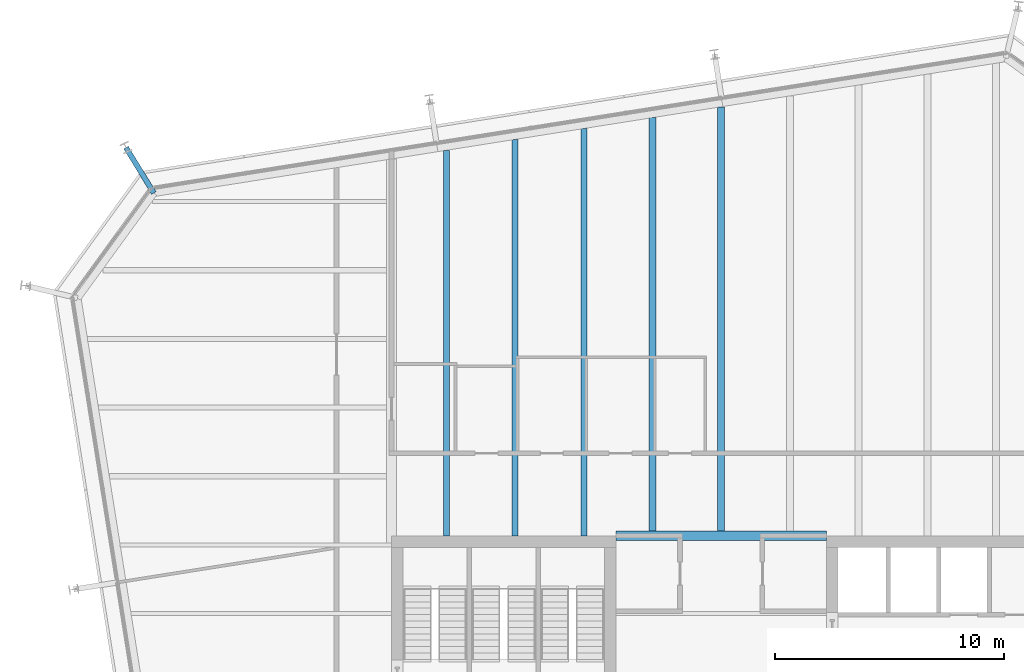
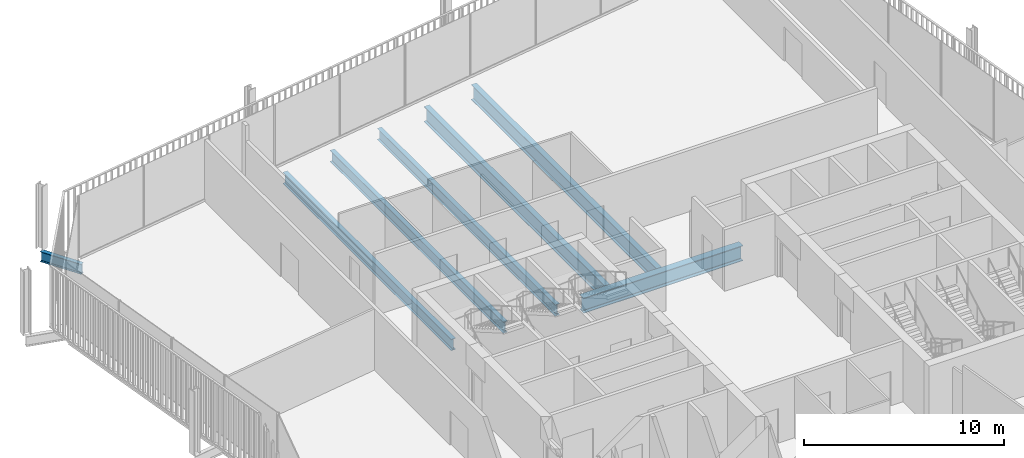
# One storey, part 11 of 20: 7 beams.
"""IFC4 building model written with IfcOpenShell, lengths in metres."""

from ifc_helpers import new_model, si_unit, direction, frame, origin, origin_2d, place, context, subcontext, project, spatial, i_section, extrude, material, material_profile, profile_set, type_object, element, save


model = new_model("IFC4")

# Units and contexts
model_context = context("Model", 3, precision=1e-05, world=origin(), true_north=direction((0.0, 1.0)))
body_context = subcontext(model_context, "Body", "Model", "MODEL_VIEW")
ifc_project = project(units=[si_unit("LENGTHUNIT", "METRE"), si_unit("AREAUNIT", "SQUARE_METRE"), si_unit("VOLUMEUNIT", "CUBIC_METRE"), si_unit("PLANEANGLEUNIT", "RADIAN"), si_unit("MASSUNIT", "GRAM", prefix="KILO")], contexts=[model_context])

# Site, building, storey
site_placement = place(None, origin())
site = spatial("IfcSite", under=ifc_project, at=site_placement, CompositionType="ELEMENT")
building_placement = place(site_placement, origin())
building = spatial("IfcBuilding", under=site, at=building_placement, Name="Millrace Tower", CompositionType="ELEMENT")
storey_placement = place(building_placement, frame((0.0, 0.0, 259.10009765625)))
storey = spatial("IfcBuildingStorey", under=building, at=storey_placement, Name="L59", CompositionType="ELEMENT", Elevation=259.10009765625)

# Beams
ifc_material_1 = material(Name="Steel ASTM A992 Grade 50", Category="steel")
ifc_material_profile_1 = material_profile(ifc_material_1, i_section(OverallWidth=0.256591796875, OverallDepth=0.693359375, WebThickness=0.014404296875, FlangeThickness=0.023681640625, FilletRadius=0.01513671875, at=origin_2d()))
ifc_profile_set_1 = profile_set([ifc_material_profile_1], Name="Steel ASTM A992 Grade 50")
beam_type_1 = type_object("IfcBeamType", Name="Floor beam W27x114", PredefinedType="JOIST", material=ifc_profile_set_1)
beam_1_placement = place(storey_placement, frame((-12.0, 9.39990234375, -0.5068359375), z_axis=(0.0, 1.0, 0.0), x_axis=(-1.0, 0.0, 0.0)))
element("IfcBeam", 1, at=beam_1_placement, inside=storey, type_object=beam_type_1, Name="BM-D-L59-S1-S036", PredefinedType="JOIST", context=body_context, shape_type="SweptSolid", body=[
    extrude(i_section(OverallWidth=0.256591796875, OverallDepth=0.693359375, WebThickness=0.014404296875, FlangeThickness=0.023681640625, FilletRadius=0.01513671875, at=origin_2d()), origin(), (0.0, 0.0, 1.0), 16.8369140625),
])
beam_2_placement = place(storey_placement, frame((-9.0, 9.39990234375, -0.5068359375), z_axis=(0.0, 1.0, 0.0), x_axis=(-1.0, 0.0, 0.0)))
element("IfcBeam", 2, at=beam_2_placement, inside=storey, type_object=beam_type_1, Name="BM-D-L59-S1-S038", PredefinedType="JOIST", context=body_context, shape_type="SweptSolid", body=[
    extrude(i_section(OverallWidth=0.256591796875, OverallDepth=0.693359375, WebThickness=0.014404296875, FlangeThickness=0.023681640625, FilletRadius=0.01513671875, at=origin_2d()), origin(), (0.0, 0.0, 1.0), 17.31201171875),
])
beam_3_placement = place(storey_placement, frame((-6.0, 9.39990234375, -0.5068359375), z_axis=(0.0, 1.0, 0.0), x_axis=(-1.0, 0.0, 0.0)))
element("IfcBeam", 3, at=beam_3_placement, inside=storey, type_object=beam_type_1, Name="BM-D-L59-S1-S040", PredefinedType="JOIST", context=body_context, shape_type="SweptSolid", body=[
    extrude(i_section(OverallWidth=0.256591796875, OverallDepth=0.693359375, WebThickness=0.014404296875, FlangeThickness=0.023681640625, FilletRadius=0.01513671875, at=origin_2d()), origin(), (0.0, 0.0, 1.0), 17.787109375),
])
ifc_material_2 = material(Name="Steel ASTM A992 Grade 50", Category="steel")
ifc_material_profile_2 = material_profile(ifc_material_2, i_section(OverallWidth=0.307373046875, OverallDepth=0.927001953125, WebThickness=0.01953125, FlangeThickness=0.031982421875, FilletRadius=0.01904296875, at=origin_2d()))
ifc_profile_set_2 = profile_set([ifc_material_profile_2], Name="Steel ASTM A992 Grade 50")
beam_type_2 = type_object("IfcBeamType", Name="Floor beam W36x194", PredefinedType="JOIST", material=ifc_profile_set_2)
beam_4_placement = place(storey_placement, frame((-3.0, 9.609619140625, -0.62353515625), z_axis=(0.0, 1.0, 0.0), x_axis=(-1.0, 0.0, 0.0)))
element("IfcBeam", 4, at=beam_4_placement, inside=storey, type_object=beam_type_2, Name="BM-D-L59-S1-S042", PredefinedType="JOIST", context=body_context, shape_type="SweptSolid", body=[
    extrude(i_section(OverallWidth=0.307373046875, OverallDepth=0.927001953125, WebThickness=0.01953125, FlangeThickness=0.031982421875, FilletRadius=0.01904296875, at=origin_2d()), origin(), (0.0, 0.0, 1.0), 18.052490234375),
])
beam_5_placement = place(storey_placement, frame((0.0, 9.609619140625, -0.62353515625), z_axis=(0.0, 1.0, 0.0), x_axis=(-1.0, 0.0, 0.0)))
element("IfcBeam", 5, at=beam_5_placement, inside=storey, type_object=beam_type_2, Name="BM-D-L59-S1-S044", PredefinedType="JOIST", context=body_context, shape_type="SweptSolid", body=[
    extrude(i_section(OverallWidth=0.307373046875, OverallDepth=0.927001953125, WebThickness=0.01953125, FlangeThickness=0.031982421875, FilletRadius=0.01904296875, at=origin_2d()), origin(), (0.0, 0.0, 1.0), 18.527587890625),
])
ifc_material_3 = material(Name="Steel ASTM A992 Grade 50", Category="steel")
ifc_material_profile_3 = material_profile(ifc_material_3, i_section(OverallWidth=0.419189453125, OverallDepth=0.927001953125, WebThickness=0.019287109375, FlangeThickness=0.031982421875, FilletRadius=0.024169921875, at=origin_2d()))
ifc_profile_set_3 = profile_set([ifc_material_profile_3], Name="Steel ASTM A992 Grade 50")
beam_type_3 = type_object("IfcBeamType", Name="Girder short span W36x231", PredefinedType="BEAM", material=ifc_profile_set_3)
beam_6_placement = place(storey_placement, frame((-4.60009765625, 9.39990234375, -0.62353515625), z_axis=(1.0, 0.0, 0.0), x_axis=(0.0, 1.0, 0.0)))
element("IfcBeam", 6, at=beam_6_placement, inside=storey, type_object=beam_type_3, Name="BM-D-L59-S1-G058", PredefinedType="BEAM", context=body_context, shape_type="SweptSolid", body=[
    extrude(i_section(OverallWidth=0.419189453125, OverallDepth=0.927001953125, WebThickness=0.019287109375, FlangeThickness=0.031982421875, FilletRadius=0.024169921875, at=origin_2d()), origin(), (0.0, 0.0, 1.0), 9.2001953125),
])
ifc_material_4 = material(Name="Steel ASTM A992 Grade 50", Category="steel")
ifc_material_profile_4 = material_profile(ifc_material_4, i_section(OverallWidth=0.23046875, OverallDepth=0.6171875, WebThickness=0.01318359375, FlangeThickness=0.022216796875, FilletRadius=0.012939453125, at=origin_2d()))
ifc_profile_set_4 = profile_set([ifc_material_profile_4], Name="Steel ASTM A992 Grade 50")
beam_type_4 = type_object("IfcBeamType", Name="Link beam W24x94", PredefinedType="BEAM", material=ifc_profile_set_4)
beam_7_placement = place(storey_placement, frame((-24.7783203125, 24.368408203125, -0.46875), z_axis=(-0.522512938711, 0.852631355792, 0.0), x_axis=(-0.852631355792, -0.522512938711, 0.0)))
element("IfcBeam", 7, at=beam_7_placement, inside=storey, type_object=beam_type_4, Name="LNK-D-L59-S1-05", PredefinedType="BEAM", context=body_context, shape_type="SweptSolid", body=[
    extrude(i_section(OverallWidth=0.23046875, OverallDepth=0.6171875, WebThickness=0.01318359375, FlangeThickness=0.022216796875, FilletRadius=0.012939453125, at=origin_2d()), origin(), (0.0, 0.0, 1.0), 2.3310546875),
])

save(model, "model.ifc")
